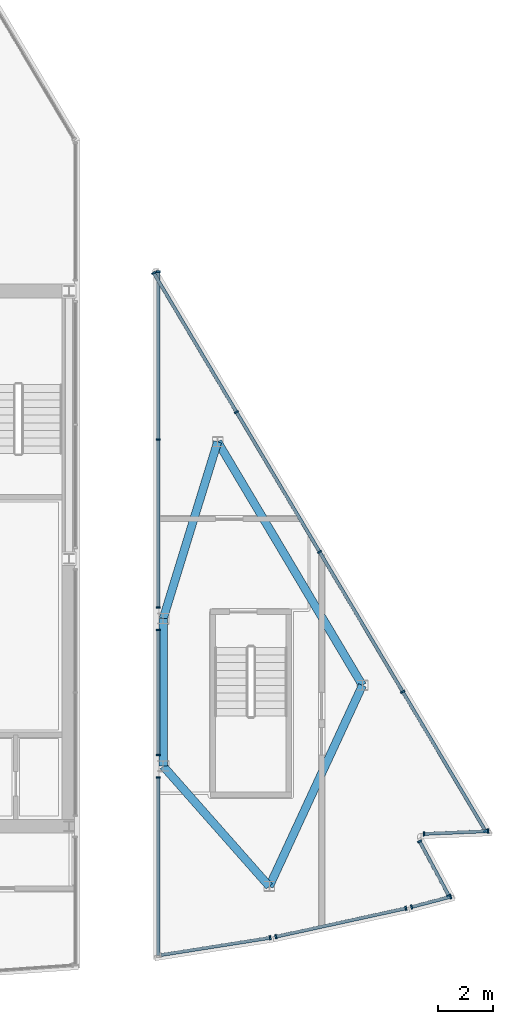
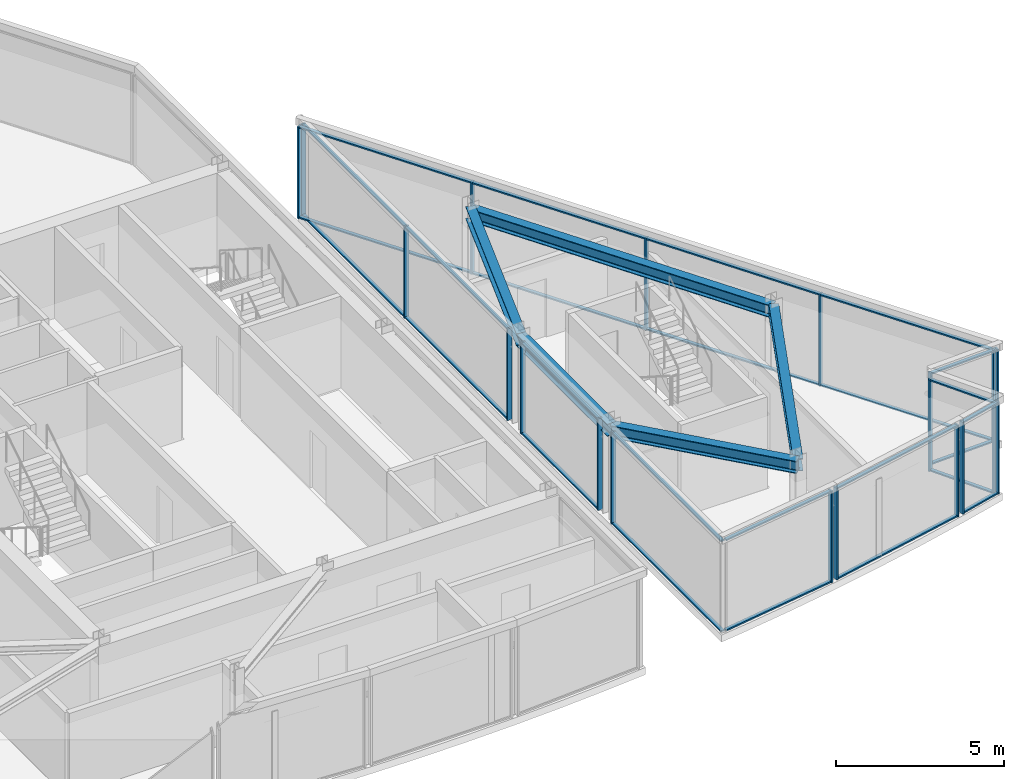
# One storey, part 6 of 15: 46 members, 5 beams, 9 elements without a shape of their own.
"""IFC4 building model written with IfcOpenShell, lengths in metres."""

from ifc_helpers import new_model, si_unit, direction, frame, origin, origin_2d, place, context, subcontext, project, spatial, rectangle, i_section, extrude, material, material_profile, profile_set, type_object, element, aggregate, save


model = new_model("IFC4")

# Units and contexts
model_context = context("Model", 3, precision=1e-05, world=origin(), true_north=direction((0.0, 1.0)))
body_context = subcontext(model_context, "Body", "Model", "MODEL_VIEW")
ifc_project = project(units=[si_unit("LENGTHUNIT", "METRE"), si_unit("AREAUNIT", "SQUARE_METRE"), si_unit("VOLUMEUNIT", "CUBIC_METRE"), si_unit("PLANEANGLEUNIT", "RADIAN"), si_unit("MASSUNIT", "GRAM", prefix="KILO")], contexts=[model_context])

# Site, building, storey
site_placement = place(None, origin())
site = spatial("IfcSite", under=ifc_project, at=site_placement, CompositionType="ELEMENT")
building_placement = place(site_placement, origin())
building = spatial("IfcBuilding", under=site, at=building_placement, Name="Savorim Split Tower", CompositionType="ELEMENT")
storey_placement = place(building_placement, frame((0.0, 0.0, 308.39990234375)))
storey = spatial("IfcBuildingStorey", under=building, at=storey_placement, Name="Crown L82 Plant", CompositionType="ELEMENT", Elevation=308.39990234375)

# Beams
ifc_material_1 = material(Name="Steel S355", Category="steel")
ifc_material_profile_1 = material_profile(ifc_material_1, i_section(OverallWidth=0.300048828125, OverallDepth=0.449951171875, WebThickness=0.013916015625, FlangeThickness=0.02587890625, FilletRadius=0.027099609375, at=origin_2d()), Name="HEB 450")
ifc_profile_set_1 = profile_set([ifc_material_profile_1], Name="Steel S355")
beam_type = type_object("IfcBeamType", Name="BM-PRI-HEB450", PredefinedType="BEAM", material=ifc_profile_set_1)
beam_1_placement = place(storey_placement, frame((11.14990234375, -1.800048828125, 3.114990234375), z_axis=(0.0, -1.0, 0.0), x_axis=(1.0, 0.0, 0.0)))
element("IfcBeam", 1, at=beam_1_placement, inside=storey, type_object=beam_type, Name="Crown L82 Plant East Crown Beam EBG-1", PredefinedType="BEAM", context=body_context, shape_type="SweptSolid", body=[
    extrude(i_section(OverallWidth=0.300048828125, OverallDepth=0.449951171875, WebThickness=0.013916015625, FlangeThickness=0.02587890625, FilletRadius=0.027099609375, at=origin_2d()), origin(), (0.0, 0.0, 1.0), 5.39990234375),
])
beam_2_placement = place(storey_placement, frame((11.14990234375, -7.199951171875, 3.114990234375), z_axis=(0.661950206721, -0.749547812899, 0.0), x_axis=(0.749547812899, 0.661950206721, 0.0)))
element("IfcBeam", 2, at=beam_2_placement, inside=storey, type_object=beam_type, Name="Crown L82 Plant East Crown Beam EBG-2", PredefinedType="BEAM", context=body_context, shape_type="SweptSolid", body=[
    extrude(i_section(OverallWidth=0.300048828125, OverallDepth=0.449951171875, WebThickness=0.013916015625, FlangeThickness=0.02587890625, FilletRadius=0.027099609375, at=origin_2d()), origin(), (0.0, 0.0, 1.0), 5.872314453125),
])
beam_3_placement = place(storey_placement, frame((15.037109375, -11.6015625, 3.114990234375), z_axis=(0.420180016877, 0.9074407713, 0.0), x_axis=(-0.9074407713, 0.420180016877, 0.0)))
element("IfcBeam", 3, at=beam_3_placement, inside=storey, type_object=beam_type, Name="Crown L82 Plant East Crown Beam EBG-3", PredefinedType="BEAM", context=body_context, shape_type="SweptSolid", body=[
    extrude(i_section(OverallWidth=0.300048828125, OverallDepth=0.449951171875, WebThickness=0.013916015625, FlangeThickness=0.02587890625, FilletRadius=0.027099609375, at=origin_2d()), origin(), (0.0, 0.0, 1.0), 8.112548828125),
])
beam_4_placement = place(storey_placement, frame((18.44580078125, -4.239990234375, 3.114990234375), z_axis=(-0.511103121152, 0.859519400333, 0.0), x_axis=(-0.859519400333, -0.511103121152, 0.0)))
element("IfcBeam", 4, at=beam_4_placement, inside=storey, type_object=beam_type, Name="Crown L82 Plant East Crown Beam EBG-4", PredefinedType="BEAM", context=body_context, shape_type="SweptSolid", body=[
    extrude(i_section(OverallWidth=0.300048828125, OverallDepth=0.449951171875, WebThickness=0.013916015625, FlangeThickness=0.02587890625, FilletRadius=0.027099609375, at=origin_2d()), origin(), (0.0, 0.0, 1.0), 10.372802734375),
])
beam_5_placement = place(storey_placement, frame((11.14990234375, -1.800048828125, 3.114990234375), z_axis=(0.294341564788, 0.955700289441, 0.0), x_axis=(-0.955700289441, 0.294341564788, 0.0)))
element("IfcBeam", 5, at=beam_5_placement, inside=storey, type_object=beam_type, Name="Crown L82 Plant East Crown Perimeter Tie Beam", PredefinedType="BEAM", context=body_context, shape_type="SweptSolid", body=[
    extrude(i_section(OverallWidth=0.300048828125, OverallDepth=0.449951171875, WebThickness=0.013916015625, FlangeThickness=0.02587890625, FilletRadius=0.027099609375, at=origin_2d()), origin(), (0.0, 0.0, 1.0), 6.775634765625),
])

# Curtain wall, members
ifc_material_2 = material(Name="Dark Ceramic-Fritted Insulated Glass", Category="glass")
curtain_wall_type = type_object("IfcCurtainWallType", Name="CW-CROWN-CREST", PredefinedType="NOTDEFINED", material=ifc_material_2)
curtain_wall_1_placement = place(storey_placement, origin())
curtain_wall_1 = element("IfcCurtainWall", 6, at=curtain_wall_1_placement, inside=storey, type_object=curtain_wall_type, Name="Crown L82 Plant Curtain Wall CW-Crown-L82-Plant-E1AS1", PredefinedType="NOTDEFINED")
ifc_material_3 = material(Name="Charcoal Anodised Aluminium", Category="aluminium")
ifc_material_profile_2 = material_profile(ifc_material_3, rectangle(XDim=0.159912109375, YDim=0.06005859375, at=origin_2d()), Name="ALU-M 160x60")
ifc_profile_set_2 = profile_set([ifc_material_profile_2], Name="Charcoal Anodised Aluminium")
member_type_1 = type_object("IfcMemberType", Name="CWM-160x60", PredefinedType="MULLION", material=ifc_profile_set_2)
member_1_placement = place(storey_placement, frame((10.969970703125, 10.90478515625, 0.0), z_axis=(0.0, 0.0, 1.0), x_axis=(1.0, 0.0, 0.0)))
member_1 = element("IfcMember", 7, at=member_1_placement, type_object=member_type_1, Name="CW-07 mullion 1", PredefinedType="MULLION", context=body_context, shape_type="SweptSolid", body=[
    extrude(rectangle(XDim=0.159912109375, YDim=0.06005859375, at=origin_2d()), origin(), (0.0, 0.0, 1.0), 3.340087890625),
])
member_2_placement = place(storey_placement, frame((10.969970703125, 4.75732421875, 0.0), z_axis=(0.0, 0.0, 1.0), x_axis=(1.0, 0.0, 0.0)))
member_2 = element("IfcMember", 8, at=member_2_placement, type_object=member_type_1, Name="CW-07 mullion 2", PredefinedType="MULLION", context=body_context, shape_type="SweptSolid", body=[
    extrude(rectangle(XDim=0.159912109375, YDim=0.06005859375, at=origin_2d()), origin(), (0.0, 0.0, 1.0), 3.340087890625),
])
member_3_placement = place(storey_placement, frame((10.969970703125, -1.389892578125, 0.0), z_axis=(0.0, 0.0, 1.0), x_axis=(1.0, 0.0, 0.0)))
member_3 = element("IfcMember", 9, at=member_3_placement, type_object=member_type_1, Name="CW-07 mullion 3", PredefinedType="MULLION", context=body_context, shape_type="SweptSolid", body=[
    extrude(rectangle(XDim=0.159912109375, YDim=0.06005859375, at=origin_2d()), origin(), (0.0, 0.0, 1.0), 3.340087890625),
])

curtain_wall_2_placement = place(storey_placement, origin())
curtain_wall_2 = element("IfcCurtainWall", 10, at=curtain_wall_2_placement, inside=storey, type_object=curtain_wall_type, Name="Crown L82 Plant Curtain Wall CW-Crown-L82-Plant-E1AS2", PredefinedType="NOTDEFINED")
member_4_placement = place(storey_placement, frame((10.969970703125, -2.2099609375, 0.0), z_axis=(0.0, 0.0, 1.0), x_axis=(1.0, 0.0, 0.0)))
member_4 = element("IfcMember", 11, at=member_4_placement, type_object=member_type_1, Name="CW-07 mullion 1", PredefinedType="MULLION", context=body_context, shape_type="SweptSolid", body=[
    extrude(rectangle(XDim=0.159912109375, YDim=0.06005859375, at=origin_2d()), origin(), (0.0, 0.0, 1.0), 3.340087890625),
])
member_5_placement = place(storey_placement, frame((10.969970703125, -6.7900390625, 0.0), z_axis=(0.0, 0.0, 1.0), x_axis=(1.0, 0.0, 0.0)))
member_5 = element("IfcMember", 12, at=member_5_placement, type_object=member_type_1, Name="CW-07 mullion 2", PredefinedType="MULLION", context=body_context, shape_type="SweptSolid", body=[
    extrude(rectangle(XDim=0.159912109375, YDim=0.06005859375, at=origin_2d()), origin(), (0.0, 0.0, 1.0), 3.340087890625),
])

# Curtain wall, member
curtain_wall_3_placement = place(storey_placement, origin())
curtain_wall_3 = element("IfcCurtainWall", 13, at=curtain_wall_3_placement, inside=storey, type_object=curtain_wall_type, Name="Crown L82 Plant Curtain Wall CW-Crown-L82-Plant-E1AS3", PredefinedType="NOTDEFINED")
member_6_placement = place(storey_placement, frame((10.969970703125, -7.610107421875, 0.0), z_axis=(0.0, 0.0, 1.0), x_axis=(1.0, 0.0, 0.0)))
member_6 = element("IfcMember", 14, at=member_6_placement, type_object=member_type_1, Name="CW-07 mullion 1", PredefinedType="MULLION", context=body_context, shape_type="SweptSolid", body=[
    extrude(rectangle(XDim=0.159912109375, YDim=0.06005859375, at=origin_2d()), origin(), (0.0, 0.0, 1.0), 3.340087890625),
])

curtain_wall_4_placement = place(storey_placement, origin())
curtain_wall_4 = element("IfcCurtainWall", 15, at=curtain_wall_4_placement, inside=storey, type_object=curtain_wall_type, Name="Crown L82 Plant Curtain Wall CW-Crown-L82-Plant-E2A", PredefinedType="NOTDEFINED")
member_7_placement = place(storey_placement, frame((15.066162109375, -13.482666015625, 0.0), z_axis=(0.0, 0.0, 1.0), x_axis=(-0.156061986472, 0.987747263412, 0.0)))
member_7 = element("IfcMember", 16, at=member_7_placement, type_object=member_type_1, Name="CW-07 mullion 2", PredefinedType="MULLION", context=body_context, shape_type="SweptSolid", body=[
    extrude(rectangle(XDim=0.159912109375, YDim=0.06005859375, at=origin_2d()), origin(), (0.0, 0.0, 1.0), 3.340087890625),
])

# Curtain wall, members
curtain_wall_5_placement = place(storey_placement, origin())
curtain_wall_5 = element("IfcCurtainWall", 17, at=curtain_wall_5_placement, inside=storey, type_object=curtain_wall_type, Name="Crown L82 Plant Curtain Wall CW-Crown-L82-Plant-E3A", PredefinedType="NOTDEFINED")
member_8_placement = place(storey_placement, frame((15.275390625, -13.443359375, 0.0), z_axis=(0.0, 0.0, 1.0), x_axis=(-0.213221614431, 0.97700386035, 0.0)))
member_8 = element("IfcMember", 18, at=member_8_placement, type_object=member_type_1, Name="CW-07 mullion 1", PredefinedType="MULLION", context=body_context, shape_type="SweptSolid", body=[
    extrude(rectangle(XDim=0.159912109375, YDim=0.06005859375, at=origin_2d()), origin(), (0.0, 0.0, 1.0), 3.340087890625),
])
member_9_placement = place(storey_placement, frame((20.03564453125, -12.404541015625, 0.0), z_axis=(0.0, 0.0, 1.0), x_axis=(-0.213221614431, 0.97700386035, 0.0)))
member_9 = element("IfcMember", 19, at=member_9_placement, type_object=member_type_1, Name="CW-07 mullion 2", PredefinedType="MULLION", context=body_context, shape_type="SweptSolid", body=[
    extrude(rectangle(XDim=0.159912109375, YDim=0.06005859375, at=origin_2d()), origin(), (0.0, 0.0, 1.0), 3.340087890625),
])

curtain_wall_6_placement = place(storey_placement, origin())
curtain_wall_6 = element("IfcCurtainWall", 20, at=curtain_wall_6_placement, inside=storey, type_object=curtain_wall_type, Name="Crown L82 Plant Curtain Wall CW-Crown-L82-Plant-E4A", PredefinedType="NOTDEFINED")
member_10_placement = place(storey_placement, frame((20.24462890625, -12.3544921875, 0.0), z_axis=(0.0, 0.0, 1.0), x_axis=(-0.253033362874, 0.967457553215, 0.0)))
member_10 = element("IfcMember", 21, at=member_10_placement, type_object=member_type_1, Name="CW-07 mullion 1", PredefinedType="MULLION", context=body_context, shape_type="SweptSolid", body=[
    extrude(rectangle(XDim=0.159912109375, YDim=0.06005859375, at=origin_2d()), origin(), (0.0, 0.0, 1.0), 3.340087890625),
])
member_11_placement = place(storey_placement, frame((21.67431640625, -11.98046875, 0.0), z_axis=(0.0, 0.0, 1.0), x_axis=(-0.253033362874, 0.967457553215, 0.0)))
member_11 = element("IfcMember", 22, at=member_11_placement, type_object=member_type_1, Name="CW-07 mullion 2", PredefinedType="MULLION", context=body_context, shape_type="SweptSolid", body=[
    extrude(rectangle(XDim=0.159912109375, YDim=0.06005859375, at=origin_2d()), origin(), (0.0, 0.0, 1.0), 3.340087890625),
])

curtain_wall_7_placement = place(storey_placement, origin())
curtain_wall_7 = element("IfcCurtainWall", 23, at=curtain_wall_7_placement, inside=storey, type_object=curtain_wall_type, Name="Crown L82 Plant Curtain Wall CW-Crown-L82-Plant-E5A", PredefinedType="NOTDEFINED")
member_12_placement = place(storey_placement, frame((21.603759765625, -11.93603515625, 0.0), z_axis=(0.0, 0.0, 1.0), x_axis=(-0.881160268061, -0.472817704819, 0.0)))
member_12 = element("IfcMember", 24, at=member_12_placement, type_object=member_type_1, Name="CW-07 mullion 1", PredefinedType="MULLION", context=body_context, shape_type="SweptSolid", body=[
    extrude(rectangle(XDim=0.159912109375, YDim=0.06005859375, at=origin_2d()), origin(), (0.0, 0.0, 1.0), 3.340087890625),
])
member_13_placement = place(storey_placement, frame((20.541015625, -9.955322265625, 0.0), z_axis=(0.0, 0.0, 1.0), x_axis=(-0.881160268061, -0.472817704819, 0.0)))
member_13 = element("IfcMember", 25, at=member_13_placement, type_object=member_type_1, Name="CW-07 mullion 2", PredefinedType="MULLION", context=body_context, shape_type="SweptSolid", body=[
    extrude(rectangle(XDim=0.159912109375, YDim=0.06005859375, at=origin_2d()), origin(), (0.0, 0.0, 1.0), 3.340087890625),
])

curtain_wall_8_placement = place(storey_placement, origin())
curtain_wall_8 = element("IfcCurtainWall", 26, at=curtain_wall_8_placement, inside=storey, type_object=curtain_wall_type, Name="Crown L82 Plant Curtain Wall CW-Crown-L82-Plant-E6A", PredefinedType="NOTDEFINED")
member_14_placement = place(storey_placement, frame((20.699462890625, -9.67724609375, 0.0), z_axis=(0.0, 0.0, 1.0), x_axis=(-0.042520883892, 0.999095578227, 0.0)))
member_14 = element("IfcMember", 27, at=member_14_placement, type_object=member_type_1, Name="CW-07 mullion 1", PredefinedType="MULLION", context=body_context, shape_type="SweptSolid", body=[
    extrude(rectangle(XDim=0.159912109375, YDim=0.06005859375, at=origin_2d()), origin(), (0.0, 0.0, 1.0), 3.340087890625),
])
member_15_placement = place(storey_placement, frame((23.0478515625, -9.5771484375, 0.0), z_axis=(0.0, 0.0, 1.0), x_axis=(-0.042520883892, 0.999095578227, 0.0)))
member_15 = element("IfcMember", 28, at=member_15_placement, type_object=member_type_1, Name="CW-07 mullion 2", PredefinedType="MULLION", context=body_context, shape_type="SweptSolid", body=[
    extrude(rectangle(XDim=0.159912109375, YDim=0.06005859375, at=origin_2d()), origin(), (0.0, 0.0, 1.0), 3.340087890625),
])

curtain_wall_9_placement = place(storey_placement, origin())
curtain_wall_9 = element("IfcCurtainWall", 29, at=curtain_wall_9_placement, inside=storey, type_object=curtain_wall_type, Name="Crown L82 Plant Curtain Wall CW-Crown-L82-Plant-E7A", PredefinedType="NOTDEFINED")
member_16_placement = place(storey_placement, frame((22.949951171875, -9.56884765625, 0.0), z_axis=(0.0, 0.0, 1.0), x_axis=(-0.859524476748, -0.511094584076, 0.0)))
member_16 = element("IfcMember", 30, at=member_16_placement, type_object=member_type_1, Name="CW-07 mullion 1", PredefinedType="MULLION", context=body_context, shape_type="SweptSolid", body=[
    extrude(rectangle(XDim=0.159912109375, YDim=0.06005859375, at=origin_2d()), origin(), (0.0, 0.0, 1.0), 3.340087890625),
])
member_17_placement = place(storey_placement, frame((19.9208984375, -4.474853515625, 0.0), z_axis=(0.0, 0.0, 1.0), x_axis=(-0.859524476748, -0.511094584076, 0.0)))
member_17 = element("IfcMember", 31, at=member_17_placement, type_object=member_type_1, Name="CW-07 mullion 2", PredefinedType="MULLION", context=body_context, shape_type="SweptSolid", body=[
    extrude(rectangle(XDim=0.159912109375, YDim=0.06005859375, at=origin_2d()), origin(), (0.0, 0.0, 1.0), 3.340087890625),
])
member_18_placement = place(storey_placement, frame((16.87646484375, 0.64501953125, 0.0), z_axis=(0.0, 0.0, 1.0), x_axis=(-0.859524476748, -0.511094584076, 0.0)))
member_18 = element("IfcMember", 32, at=member_18_placement, type_object=member_type_1, Name="CW-07 mullion 3", PredefinedType="MULLION", context=body_context, shape_type="SweptSolid", body=[
    extrude(rectangle(XDim=0.159912109375, YDim=0.06005859375, at=origin_2d()), origin(), (0.0, 0.0, 1.0), 3.340087890625),
])
member_19_placement = place(storey_placement, frame((13.83203125, 5.764892578125, 0.0), z_axis=(0.0, 0.0, 1.0), x_axis=(-0.859524476748, -0.511094584076, 0.0)))
member_19 = element("IfcMember", 33, at=member_19_placement, type_object=member_type_1, Name="CW-07 mullion 4", PredefinedType="MULLION", context=body_context, shape_type="SweptSolid", body=[
    extrude(rectangle(XDim=0.159912109375, YDim=0.06005859375, at=origin_2d()), origin(), (0.0, 0.0, 1.0), 3.340087890625),
])
member_20_placement = place(storey_placement, frame((10.802978515625, 10.85888671875, 0.0), z_axis=(0.0, 0.0, 1.0), x_axis=(-0.859524476748, -0.511094584076, 0.0)))
member_20 = element("IfcMember", 34, at=member_20_placement, type_object=member_type_1, Name="CW-07 mullion 5", PredefinedType="MULLION", context=body_context, shape_type="SweptSolid", body=[
    extrude(rectangle(XDim=0.159912109375, YDim=0.06005859375, at=origin_2d()), origin(), (0.0, 0.0, 1.0), 3.340087890625),
])

# Member
ifc_material_profile_3 = material_profile(ifc_material_3, rectangle(XDim=0.1201171875, YDim=0.050048828125, at=origin_2d()), Name="ALU-T 120x50")
ifc_profile_set_3 = profile_set([ifc_material_profile_3], Name="Charcoal Anodised Aluminium")
member_type_2 = type_object("IfcMemberType", Name="CWT-120x50", PredefinedType="USERDEFINED", material=ifc_profile_set_3)
member_21_placement = place(storey_placement, frame((10.969970703125, 10.874755859375, 0.025146484375), z_axis=(0.0, -1.0, 0.0), x_axis=(1.0, 0.0, 0.0)))
member_21 = element("IfcMember", 35, at=member_21_placement, type_object=member_type_2, Name="CW-07 transom 1.1", ObjectType="TRANSOM", PredefinedType="USERDEFINED", context=body_context, shape_type="SweptSolid", body=[
    extrude(rectangle(XDim=0.1201171875, YDim=0.050048828125, at=origin_2d()), origin(), (0.0, 0.0, 1.0), 6.08740234375),
])

member_22_placement = place(storey_placement, frame((10.969970703125, 10.874755859375, 3.315185546875), z_axis=(0.0, -1.0, 0.0), x_axis=(1.0, 0.0, 0.0)))
member_22 = element("IfcMember", 36, at=member_22_placement, type_object=member_type_2, Name="CW-07 transom 1.2", ObjectType="TRANSOM", PredefinedType="USERDEFINED", context=body_context, shape_type="SweptSolid", body=[
    extrude(rectangle(XDim=0.1201171875, YDim=0.050048828125, at=origin_2d()), origin(), (0.0, 0.0, 1.0), 6.08740234375),
])

member_23_placement = place(storey_placement, frame((10.969970703125, 4.727294921875, 0.025146484375), z_axis=(0.0, -1.0, 0.0), x_axis=(1.0, 0.0, 0.0)))
member_23 = element("IfcMember", 37, at=member_23_placement, type_object=member_type_2, Name="CW-07 transom 2.1", ObjectType="TRANSOM", PredefinedType="USERDEFINED", context=body_context, shape_type="SweptSolid", body=[
    extrude(rectangle(XDim=0.1201171875, YDim=0.050048828125, at=origin_2d()), origin(), (0.0, 0.0, 1.0), 6.08740234375),
])

member_24_placement = place(storey_placement, frame((10.969970703125, 4.727294921875, 3.315185546875), z_axis=(0.0, -1.0, 0.0), x_axis=(1.0, 0.0, 0.0)))
member_24 = element("IfcMember", 38, at=member_24_placement, type_object=member_type_2, Name="CW-07 transom 2.2", ObjectType="TRANSOM", PredefinedType="USERDEFINED", context=body_context, shape_type="SweptSolid", body=[
    extrude(rectangle(XDim=0.1201171875, YDim=0.050048828125, at=origin_2d()), origin(), (0.0, 0.0, 1.0), 6.08740234375),
])

aggregate(curtain_wall_1, [member_1, member_2, member_3, member_21, member_22, member_23, member_24])

member_25_placement = place(storey_placement, frame((10.969970703125, -2.239990234375, 0.025146484375), z_axis=(0.0, -1.0, 0.0), x_axis=(1.0, 0.0, 0.0)))
member_25 = element("IfcMember", 39, at=member_25_placement, type_object=member_type_2, Name="CW-07 transom 1.1", ObjectType="TRANSOM", PredefinedType="USERDEFINED", context=body_context, shape_type="SweptSolid", body=[
    extrude(rectangle(XDim=0.1201171875, YDim=0.050048828125, at=origin_2d()), origin(), (0.0, 0.0, 1.0), 4.52001953125),
])

member_26_placement = place(storey_placement, frame((10.969970703125, -2.239990234375, 3.315185546875), z_axis=(0.0, -1.0, 0.0), x_axis=(1.0, 0.0, 0.0)))
member_26 = element("IfcMember", 40, at=member_26_placement, type_object=member_type_2, Name="CW-07 transom 1.2", ObjectType="TRANSOM", PredefinedType="USERDEFINED", context=body_context, shape_type="SweptSolid", body=[
    extrude(rectangle(XDim=0.1201171875, YDim=0.050048828125, at=origin_2d()), origin(), (0.0, 0.0, 1.0), 4.52001953125),
])

aggregate(curtain_wall_2, [member_4, member_5, member_25, member_26])

member_27_placement = place(storey_placement, frame((10.969970703125, -7.639892578125, 0.025146484375), z_axis=(0.0, -1.0, 0.0), x_axis=(1.0, 0.0, 0.0)))
member_27 = element("IfcMember", 41, at=member_27_placement, type_object=member_type_2, Name="CW-07 transom 1.1", ObjectType="TRANSOM", PredefinedType="USERDEFINED", context=body_context, shape_type="SweptSolid", body=[
    extrude(rectangle(XDim=0.1201171875, YDim=0.050048828125, at=origin_2d()), origin(), (0.0, 0.0, 1.0), 6.490478515625),
])

member_28_placement = place(storey_placement, frame((10.969970703125, -7.639892578125, 3.315185546875), z_axis=(0.0, -1.0, 0.0), x_axis=(1.0, 0.0, 0.0)))
member_28 = element("IfcMember", 42, at=member_28_placement, type_object=member_type_2, Name="CW-07 transom 1.2", ObjectType="TRANSOM", PredefinedType="USERDEFINED", context=body_context, shape_type="SweptSolid", body=[
    extrude(rectangle(XDim=0.1201171875, YDim=0.050048828125, at=origin_2d()), origin(), (0.0, 0.0, 1.0), 6.490478515625),
])

aggregate(curtain_wall_3, [member_6, member_27, member_28])

member_29_placement = place(storey_placement, frame((11.0732421875, -14.113525390625, 0.025146484375), z_axis=(0.987754576668, 0.156015692391, 0.0), x_axis=(-0.156015692391, 0.987754576668, 0.0)))
member_29 = element("IfcMember", 43, at=member_29_placement, type_object=member_type_2, Name="CW-07 transom 1.1", ObjectType="TRANSOM", PredefinedType="USERDEFINED", context=body_context, shape_type="SweptSolid", body=[
    extrude(rectangle(XDim=0.1201171875, YDim=0.050048828125, at=origin_2d()), origin(), (0.0, 0.0, 1.0), 4.01220703125),
])

member_30_placement = place(storey_placement, frame((11.0732421875, -14.113525390625, 3.315185546875), z_axis=(0.987754576668, 0.156015692391, 0.0), x_axis=(-0.156015692391, 0.987754576668, 0.0)))
member_30 = element("IfcMember", 44, at=member_30_placement, type_object=member_type_2, Name="CW-07 transom 1.2", ObjectType="TRANSOM", PredefinedType="USERDEFINED", context=body_context, shape_type="SweptSolid", body=[
    extrude(rectangle(XDim=0.1201171875, YDim=0.050048828125, at=origin_2d()), origin(), (0.0, 0.0, 1.0), 4.01220703125),
])

aggregate(curtain_wall_4, [member_7, member_29, member_30])

member_31_placement = place(storey_placement, frame((15.3046875, -13.43701171875, 0.025146484375), z_axis=(0.977002504129, 0.213227828687, 0.0), x_axis=(-0.213227828687, 0.977002504129, 0.0)))
member_31 = element("IfcMember", 45, at=member_31_placement, type_object=member_type_2, Name="CW-07 transom 1.1", ObjectType="TRANSOM", PredefinedType="USERDEFINED", context=body_context, shape_type="SweptSolid", body=[
    extrude(rectangle(XDim=0.1201171875, YDim=0.050048828125, at=origin_2d()), origin(), (0.0, 0.0, 1.0), 4.812255859375),
])

member_32_placement = place(storey_placement, frame((15.3046875, -13.43701171875, 3.315185546875), z_axis=(0.977002504129, 0.213227828687, 0.0), x_axis=(-0.213227828687, 0.977002504129, 0.0)))
member_32 = element("IfcMember", 46, at=member_32_placement, type_object=member_type_2, Name="CW-07 transom 1.2", ObjectType="TRANSOM", PredefinedType="USERDEFINED", context=body_context, shape_type="SweptSolid", body=[
    extrude(rectangle(XDim=0.1201171875, YDim=0.050048828125, at=origin_2d()), origin(), (0.0, 0.0, 1.0), 4.812255859375),
])

aggregate(curtain_wall_5, [member_8, member_9, member_31, member_32])

member_33_placement = place(storey_placement, frame((20.273681640625, -12.346923828125, 0.025146484375), z_axis=(0.967430481516, 0.253136847246, 0.0), x_axis=(-0.253136847246, 0.967430481516, 0.0)))
member_33 = element("IfcMember", 47, at=member_33_placement, type_object=member_type_2, Name="CW-07 transom 1.1", ObjectType="TRANSOM", PredefinedType="USERDEFINED", context=body_context, shape_type="SweptSolid", body=[
    extrude(rectangle(XDim=0.1201171875, YDim=0.050048828125, at=origin_2d()), origin(), (0.0, 0.0, 1.0), 1.417724609375),
])

member_34_placement = place(storey_placement, frame((20.273681640625, -12.346923828125, 3.315185546875), z_axis=(0.967430481516, 0.253136847246, 0.0), x_axis=(-0.253136847246, 0.967430481516, 0.0)))
member_34 = element("IfcMember", 48, at=member_34_placement, type_object=member_type_2, Name="CW-07 transom 1.2", ObjectType="TRANSOM", PredefinedType="USERDEFINED", context=body_context, shape_type="SweptSolid", body=[
    extrude(rectangle(XDim=0.1201171875, YDim=0.050048828125, at=origin_2d()), origin(), (0.0, 0.0, 1.0), 1.417724609375),
])

aggregate(curtain_wall_6, [member_10, member_11, member_33, member_34])

member_35_placement = place(storey_placement, frame((21.589599609375, -11.90966796875, 0.025146484375), z_axis=(-0.472781781046, 0.881179543289, 0.0), x_axis=(-0.881179543289, -0.472781781046, 0.0)))
member_35 = element("IfcMember", 49, at=member_35_placement, type_object=member_type_2, Name="CW-07 transom 1.1", ObjectType="TRANSOM", PredefinedType="USERDEFINED", context=body_context, shape_type="SweptSolid", body=[
    extrude(rectangle(XDim=0.1201171875, YDim=0.050048828125, at=origin_2d()), origin(), (0.0, 0.0, 1.0), 2.18798828125),
])

member_36_placement = place(storey_placement, frame((21.589599609375, -11.90966796875, 3.315185546875), z_axis=(-0.472781781046, 0.881179543289, 0.0), x_axis=(-0.881179543289, -0.472781781046, 0.0)))
member_36 = element("IfcMember", 50, at=member_36_placement, type_object=member_type_2, Name="CW-07 transom 1.2", ObjectType="TRANSOM", PredefinedType="USERDEFINED", context=body_context, shape_type="SweptSolid", body=[
    extrude(rectangle(XDim=0.1201171875, YDim=0.050048828125, at=origin_2d()), origin(), (0.0, 0.0, 1.0), 2.18798828125),
])

aggregate(curtain_wall_7, [member_12, member_13, member_35, member_36])

member_37_placement = place(storey_placement, frame((20.7294921875, -9.67578125, 0.025146484375), z_axis=(0.999095359003, 0.04252603459, 0.0), x_axis=(-0.04252603459, 0.999095359003, 0.0)))
member_37 = element("IfcMember", 51, at=member_37_placement, type_object=member_type_2, Name="CW-07 transom 1.1", ObjectType="TRANSOM", PredefinedType="USERDEFINED", context=body_context, shape_type="SweptSolid", body=[
    extrude(rectangle(XDim=0.1201171875, YDim=0.050048828125, at=origin_2d()), origin(), (0.0, 0.0, 1.0), 2.29052734375),
])

member_38_placement = place(storey_placement, frame((20.7294921875, -9.67578125, 3.315185546875), z_axis=(0.999095359003, 0.04252603459, 0.0), x_axis=(-0.04252603459, 0.999095359003, 0.0)))
member_38 = element("IfcMember", 52, at=member_38_placement, type_object=member_type_2, Name="CW-07 transom 1.2", ObjectType="TRANSOM", PredefinedType="USERDEFINED", context=body_context, shape_type="SweptSolid", body=[
    extrude(rectangle(XDim=0.1201171875, YDim=0.050048828125, at=origin_2d()), origin(), (0.0, 0.0, 1.0), 2.29052734375),
])

aggregate(curtain_wall_8, [member_14, member_15, member_37, member_38])

member_39_placement = place(storey_placement, frame((22.9345703125, -9.543212890625, 0.025146484375), z_axis=(-0.511082871563, 0.85953144119, 0.0), x_axis=(-0.85953144119, -0.511082871563, 0.0)))
member_39 = element("IfcMember", 53, at=member_39_placement, type_object=member_type_2, Name="CW-07 transom 1.1", ObjectType="TRANSOM", PredefinedType="USERDEFINED", context=body_context, shape_type="SweptSolid", body=[
    extrude(rectangle(XDim=0.1201171875, YDim=0.050048828125, at=origin_2d()), origin(), (0.0, 0.0, 1.0), 5.866455078125),
])

member_40_placement = place(storey_placement, frame((22.9345703125, -9.543212890625, 3.315185546875), z_axis=(-0.511082871563, 0.85953144119, 0.0), x_axis=(-0.85953144119, -0.511082871563, 0.0)))
member_40 = element("IfcMember", 54, at=member_40_placement, type_object=member_type_2, Name="CW-07 transom 1.2", ObjectType="TRANSOM", PredefinedType="USERDEFINED", context=body_context, shape_type="SweptSolid", body=[
    extrude(rectangle(XDim=0.1201171875, YDim=0.050048828125, at=origin_2d()), origin(), (0.0, 0.0, 1.0), 5.866455078125),
])

member_41_placement = place(storey_placement, frame((19.905517578125, -4.448974609375, 0.025146484375), z_axis=(-0.511100195292, 0.859521140154, 0.0), x_axis=(-0.859521140154, -0.511100195292, 0.0)))
member_41 = element("IfcMember", 55, at=member_41_placement, type_object=member_type_2, Name="CW-07 transom 2.1", ObjectType="TRANSOM", PredefinedType="USERDEFINED", context=body_context, shape_type="SweptSolid", body=[
    extrude(rectangle(XDim=0.1201171875, YDim=0.050048828125, at=origin_2d()), origin(), (0.0, 0.0, 1.0), 5.896484375),
])

member_42_placement = place(storey_placement, frame((19.905517578125, -4.448974609375, 3.315185546875), z_axis=(-0.511100195292, 0.859521140154, 0.0), x_axis=(-0.859521140154, -0.511100195292, 0.0)))
member_42 = element("IfcMember", 56, at=member_42_placement, type_object=member_type_2, Name="CW-07 transom 2.2", ObjectType="TRANSOM", PredefinedType="USERDEFINED", context=body_context, shape_type="SweptSolid", body=[
    extrude(rectangle(XDim=0.1201171875, YDim=0.050048828125, at=origin_2d()), origin(), (0.0, 0.0, 1.0), 5.896484375),
])

member_43_placement = place(storey_placement, frame((16.861083984375, 0.670654296875, 0.025146484375), z_axis=(-0.511082006661, 0.859531955466, 0.0), x_axis=(-0.859531955466, -0.511082006661, 0.0)))
member_43 = element("IfcMember", 57, at=member_43_placement, type_object=member_type_2, Name="CW-07 transom 3.1", ObjectType="TRANSOM", PredefinedType="USERDEFINED", context=body_context, shape_type="SweptSolid", body=[
    extrude(rectangle(XDim=0.1201171875, YDim=0.050048828125, at=origin_2d()), origin(), (0.0, 0.0, 1.0), 5.896728515625),
])

member_44_placement = place(storey_placement, frame((16.861083984375, 0.670654296875, 3.315185546875), z_axis=(-0.511082006661, 0.859531955466, 0.0), x_axis=(-0.859531955466, -0.511082006661, 0.0)))
member_44 = element("IfcMember", 58, at=member_44_placement, type_object=member_type_2, Name="CW-07 transom 3.2", ObjectType="TRANSOM", PredefinedType="USERDEFINED", context=body_context, shape_type="SweptSolid", body=[
    extrude(rectangle(XDim=0.1201171875, YDim=0.050048828125, at=origin_2d()), origin(), (0.0, 0.0, 1.0), 5.896728515625),
])

member_45_placement = place(storey_placement, frame((13.816650390625, 5.79052734375, 0.025146484375), z_axis=(-0.511082871563, 0.85953144119, 0.0), x_axis=(-0.85953144119, -0.511082871563, 0.0)))
member_45 = element("IfcMember", 59, at=member_45_placement, type_object=member_type_2, Name="CW-07 transom 4.1", ObjectType="TRANSOM", PredefinedType="USERDEFINED", context=body_context, shape_type="SweptSolid", body=[
    extrude(rectangle(XDim=0.1201171875, YDim=0.050048828125, at=origin_2d()), origin(), (0.0, 0.0, 1.0), 5.866455078125),
])

member_46_placement = place(storey_placement, frame((13.816650390625, 5.79052734375, 3.315185546875), z_axis=(-0.511082871563, 0.85953144119, 0.0), x_axis=(-0.85953144119, -0.511082871563, 0.0)))
member_46 = element("IfcMember", 60, at=member_46_placement, type_object=member_type_2, Name="CW-07 transom 4.2", ObjectType="TRANSOM", PredefinedType="USERDEFINED", context=body_context, shape_type="SweptSolid", body=[
    extrude(rectangle(XDim=0.1201171875, YDim=0.050048828125, at=origin_2d()), origin(), (0.0, 0.0, 1.0), 5.866455078125),
])

aggregate(curtain_wall_9, [member_16, member_17, member_18, member_19, member_20, member_39, member_40, member_41, member_42, member_43, member_44, member_45, member_46])

save(model, "model.ifc")
